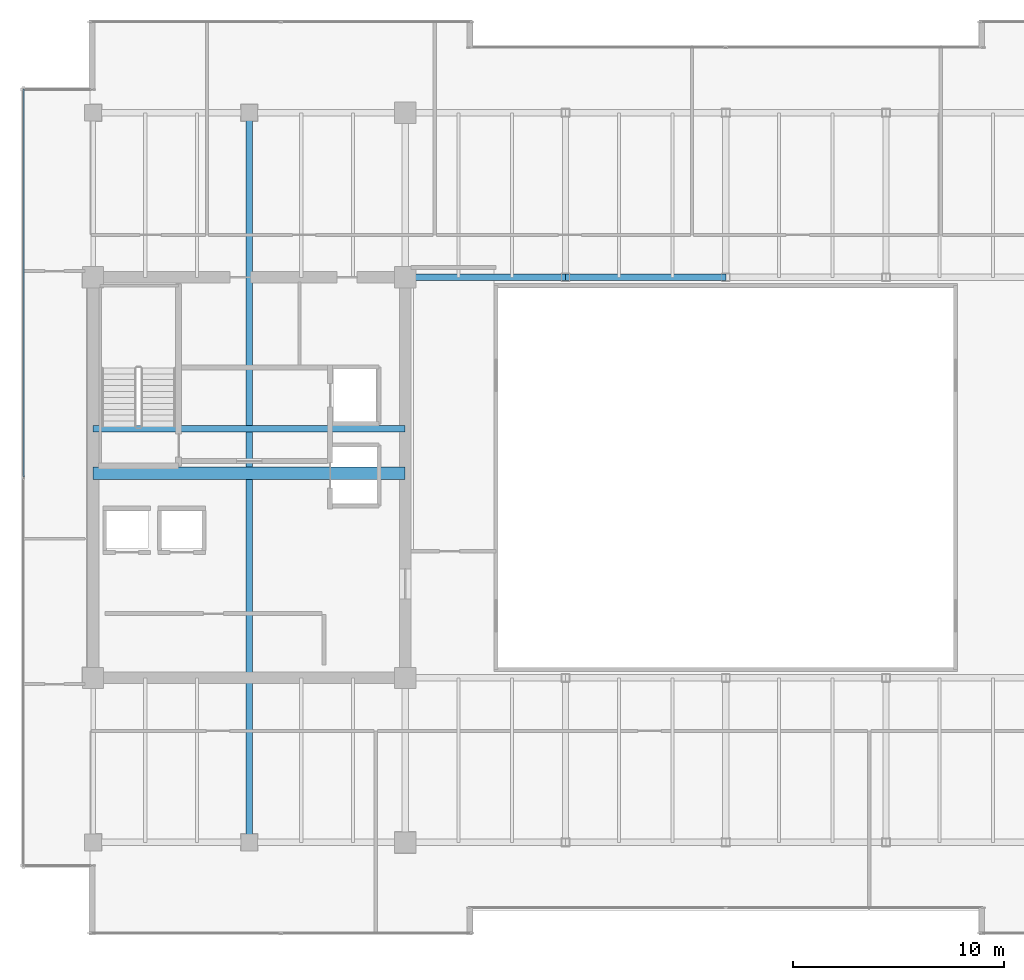
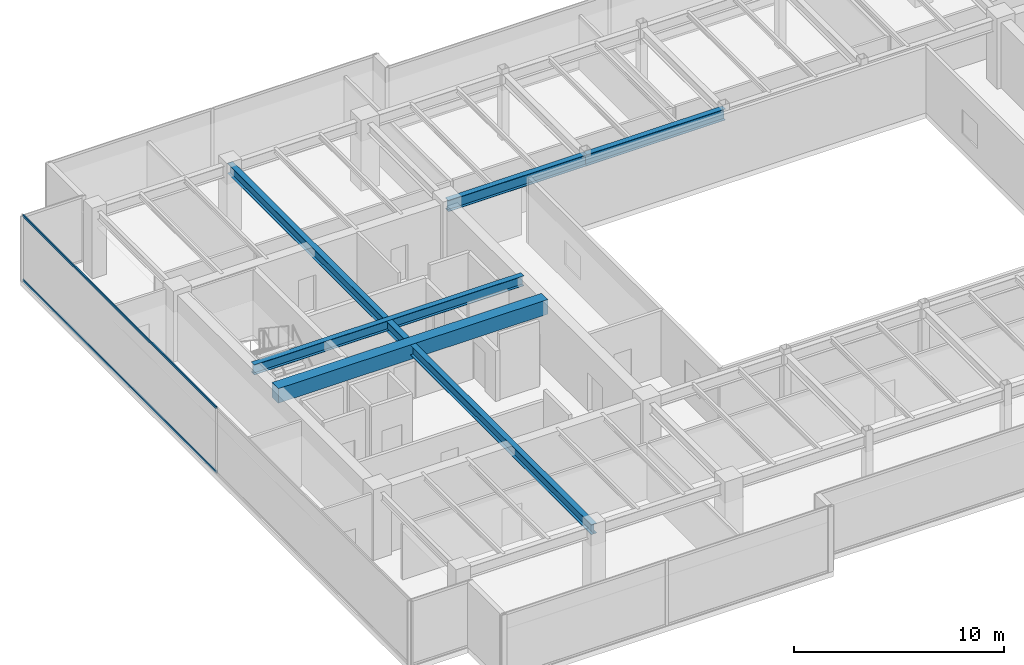
# One storey, part 10 of 35: 5 beams, 2 members, 1 element without a shape of its own.
"""IFC4 building model written with IfcOpenShell, lengths in metres."""

from ifc_helpers import new_model, si_unit, direction, frame, origin, origin_2d, place, context, subcontext, project, spatial, rectangle, hollow_rectangle, i_section, extrude, source, transform, mapped, material, layer, layer_set, material_profile, profile_set, type_object, type_shapes, element, aggregate, save


model = new_model("IFC4")

# Units and contexts
model_context = context("Model", 3, precision=1e-05, world=origin(), true_north=direction((0.0, 1.0)))
body_context = subcontext(model_context, "Body", "Model", "MODEL_VIEW")
ifc_project = project(units=[si_unit("LENGTHUNIT", "METRE"), si_unit("AREAUNIT", "SQUARE_METRE"), si_unit("VOLUMEUNIT", "CUBIC_METRE"), si_unit("PLANEANGLEUNIT", "RADIAN"), si_unit("MASSUNIT", "GRAM", prefix="KILO")], contexts=[model_context])

# Site, building, storey
site_placement = place(None, origin())
site = spatial("IfcSite", under=ifc_project, at=site_placement, CompositionType="ELEMENT")
building_placement = place(site_placement, origin())
building = spatial("IfcBuilding", under=site, at=building_placement, Name="Haelvirn Gate Laboratories", CompositionType="ELEMENT")
storey_placement = place(building_placement, frame((0.0, 0.0, 234.199951171875)))
storey = spatial("IfcBuildingStorey", under=building, at=storey_placement, Name="L56", CompositionType="ELEMENT", Elevation=234.199951171875)

# Beams
ifc_material_1 = material(Name="Steel SM355", Category="steel")
ifc_material_profile_1 = material_profile(ifc_material_1, i_section(OverallWidth=0.300048828125, OverallDepth=0.587890625, WebThickness=0.011962890625, FlangeThickness=0.02001953125, at=origin_2d()), Name="H-588x300x12x20")
ifc_profile_set_1 = profile_set([ifc_material_profile_1], Name="Steel SM355")
beam_type_1 = type_object("IfcBeamType", Name="BM-G-588", PredefinedType="BEAM", material=ifc_profile_set_1)
shared_shape_1 = source(origin(), body_context, "Body", "SweptSolid", [
    extrude(i_section(OverallWidth=0.300048828125, OverallDepth=0.587890625, WebThickness=0.011962890625, FlangeThickness=0.02001953125, at=origin_2d()), origin(), (0.0, 0.0, 1.0), 14.800048828125),
])
beam_1_placement = place(storey_placement, frame((7.39990234375, 26.6201171875, 3.506103515625), z_axis=(1.0, 0.0, 0.0), x_axis=(0.0, 1.0, 0.0)))
element("IfcBeam", 1, at=beam_1_placement, inside=storey, type_object=beam_type_1, Name="L56 Stair ST1 Landing Header", PredefinedType="BEAM", context=body_context, shape_type="MappedRepresentation", body=[
    mapped(shared_shape_1, transform((0.0, 0.0, 0.0), scale=1.0)),
])
shared_shape_2 = source(origin(), body_context, "Body", "SweptSolid", [
    extrude(i_section(OverallWidth=0.300048828125, OverallDepth=0.587890625, WebThickness=0.011962890625, FlangeThickness=0.02001953125, at=origin_2d()), origin(), (0.0, 0.0, 1.0), 34.60009765625),
])
type_shapes(beam_type_1, [shared_shape_1, shared_shape_2])
beam_2_placement = place(storey_placement, frame((14.800048828125, 7.0, 3.506103515625), z_axis=(0.0, 1.0, 0.0), x_axis=(-1.0, 0.0, 0.0)))
element("IfcBeam", 2, at=beam_2_placement, inside=storey, type_object=beam_type_1, Name="L56 Frame Girder X14.8 (7.0-41.6)", PredefinedType="BEAM", context=body_context, shape_type="MappedRepresentation", body=[
    mapped(shared_shape_2, transform((0.0, 0.0, 0.0), scale=1.0)),
])
ifc_material_2 = material(Name="Concrete C50/60", Category="concrete")
ifc_material_profile_2 = material_profile(ifc_material_2, rectangle(XDim=0.60009765625, YDim=0.85009765625, at=origin_2d()), Name="RCB-600x850")
ifc_profile_set_2 = profile_set([ifc_material_profile_2], Name="Concrete C50/60")
beam_type_2 = type_object("IfcBeamType", Name="BM-RCB-850", PredefinedType="LINTEL", material=ifc_profile_set_2)
shared_shape_3 = source(origin(), body_context, "Body", "SweptSolid", [
    extrude(rectangle(XDim=0.60009765625, YDim=0.85009765625, at=origin_2d()), origin(), (0.0, 0.0, 1.0), 14.800048828125),
])
type_shapes(beam_type_2, [shared_shape_3])
beam_3_placement = place(storey_placement, frame((7.39990234375, 24.5, 3.375), z_axis=(1.0, 0.0, 0.0), x_axis=(0.0, 1.0, 0.0)))
element("IfcBeam", 3, at=beam_3_placement, inside=storey, type_object=beam_type_2, Name="L56 West Core Coupling Beam", PredefinedType="LINTEL", context=body_context, shape_type="MappedRepresentation", body=[
    mapped(shared_shape_3, transform((0.0, 0.0, 0.0), scale=1.0)),
])
ifc_material_profile_3 = material_profile(ifc_material_1, i_section(OverallWidth=0.300048828125, OverallDepth=0.64990234375, WebThickness=0.012939453125, FlangeThickness=0.02197265625, at=origin_2d()), Name="H-650x300x13x22")
ifc_profile_set_3 = profile_set([ifc_material_profile_3], Name="Steel SM355")
beam_type_3 = type_object("IfcBeamType", Name="BM-G-650", PredefinedType="BEAM", material=ifc_profile_set_3)
shared_shape_4 = source(origin(), body_context, "Body", "SweptSolid", [
    extrude(i_section(OverallWidth=0.300048828125, OverallDepth=0.64990234375, WebThickness=0.012939453125, FlangeThickness=0.02197265625, at=origin_2d()), origin(), (0.0, 0.0, 1.0), 7.60009765625),
])
beam_4_placement = place(storey_placement, frame((22.199951171875, 33.800048828125, 3.47509765625), z_axis=(1.0, 0.0, 0.0), x_axis=(0.0, 1.0, 0.0)))
element("IfcBeam", 4, at=beam_4_placement, inside=storey, type_object=beam_type_3, Name="L56 Primary Girder Y33.8 (22.2-29.8)", PredefinedType="BEAM", context=body_context, shape_type="MappedRepresentation", body=[
    mapped(shared_shape_4, transform((0.0, 0.0, 0.0), scale=1.0)),
])
shared_shape_5 = source(origin(), body_context, "Body", "SweptSolid", [
    extrude(i_section(OverallWidth=0.300048828125, OverallDepth=0.64990234375, WebThickness=0.012939453125, FlangeThickness=0.02197265625, at=origin_2d()), origin(), (0.0, 0.0, 1.0), 7.599853515625),
])
type_shapes(beam_type_3, [shared_shape_4, shared_shape_5])
beam_5_placement = place(storey_placement, frame((29.800048828125, 33.800048828125, 3.47509765625), z_axis=(1.0, 0.0, 0.0), x_axis=(0.0, 1.0, 0.0)))
element("IfcBeam", 5, at=beam_5_placement, inside=storey, type_object=beam_type_3, Name="L56 Primary Girder Y33.8 (29.8-37.4)", PredefinedType="BEAM", context=body_context, shape_type="MappedRepresentation", body=[
    mapped(shared_shape_5, transform((0.0, 0.0, 0.0), scale=1.0)),
])

# Curtain wall, members
ifc_material_3 = material(Name="Anodised bronze unitised aluminium & triple low-E glass", Category="aluminium")
ifc_layer = layer(ifc_material_3, 0.176025390625, Name="CW-SYS-4")
ifc_layer_set = layer_set([ifc_layer], Name="Anodised bronze unitised aluminium & triple low-E glass")
curtain_wall_type = type_object("IfcCurtainWallType", Name="CW-SYS-4", PredefinedType="NOTDEFINED", material=ifc_layer_set)
curtain_wall_placement = place(storey_placement, origin())
curtain_wall = element("IfcCurtainWall", 6, at=curtain_wall_placement, inside=storey, type_object=curtain_wall_type, Name="L56 Unitised Curtain Wall CW-L56-P0-E17", PredefinedType="NOTDEFINED")
ifc_material_4 = material(Name="Extruded aluminium 6063-T6 (anodised bronze)", Category="aluminium")
ifc_material_profile_4 = material_profile(ifc_material_4, hollow_rectangle(XDim=0.06494140625, YDim=0.139892578125, WallThickness=0.00390625, at=origin_2d()), Name="CWT-140x65x4")
ifc_profile_set_4 = profile_set([ifc_material_profile_4], Name="Extruded aluminium 6063-T6 (anodised bronze)")
member_type = type_object("IfcMemberType", Name="CWT-T140", PredefinedType="USERDEFINED", material=ifc_profile_set_4)
shared_shape_6 = source(origin(), body_context, "Body", "SweptSolid", [
    extrude(hollow_rectangle(XDim=0.06494140625, YDim=0.139892578125, WallThickness=0.00390625, at=origin_2d()), origin(), (0.0, 0.0, 1.0), 18.39501953125),
])
type_shapes(member_type, [shared_shape_6])
member_1_placement = place(storey_placement, frame((4.10009765625, 42.72998046875, 0.032470703125), z_axis=(0.0, -1.0, 0.0), x_axis=(1.0, 0.0, 0.0)))
member_1 = element("IfcMember", 7, at=member_1_placement, type_object=member_type, Name="CW4 transom 1.1", ObjectType="TRANSOM", PredefinedType="USERDEFINED", context=body_context, shape_type="MappedRepresentation", body=[
    mapped(shared_shape_6, transform((0.0, 0.0, 0.0), scale=1.0)),
])
member_2_placement = place(storey_placement, frame((4.10009765625, 42.72998046875, 3.767578125), z_axis=(0.0, -1.0, 0.0), x_axis=(1.0, 0.0, 0.0)))
member_2 = element("IfcMember", 8, at=member_2_placement, type_object=member_type, Name="CW4 transom 1.2", ObjectType="TRANSOM", PredefinedType="USERDEFINED", context=body_context, shape_type="MappedRepresentation", body=[
    mapped(shared_shape_6, transform((0.0, 0.0, 0.0), scale=1.0)),
])
aggregate(curtain_wall, [member_1, member_2])

save(model, "model.ifc")
